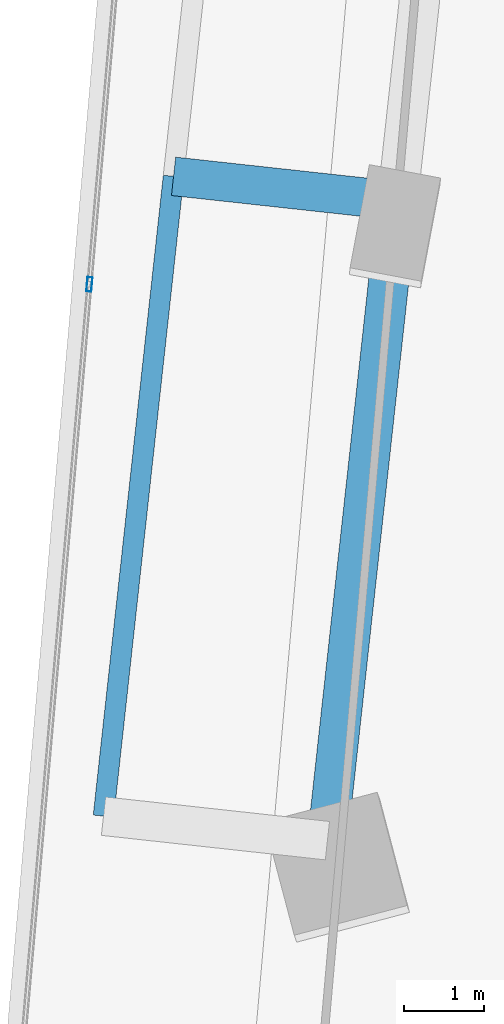
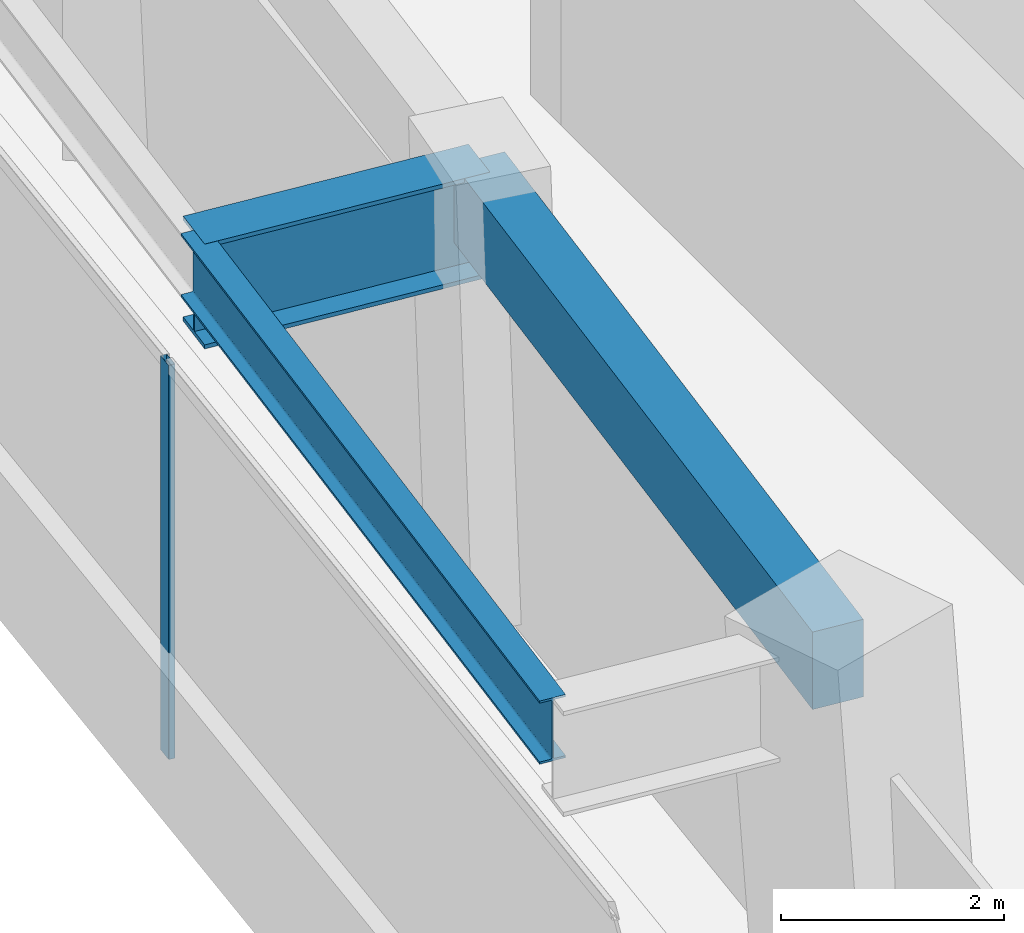
# One storey, part 6 of 24: 3 beams, 1 member, 1 element without a shape of its own.
"""IFC4 building model written with IfcOpenShell, lengths in metres."""

from ifc_helpers import new_model, si_unit, direction, frame, origin, origin_2d, place, context, subcontext, project, spatial, rectangle, hollow_rectangle, i_section, extrude, source, transform, mapped, material, material_profile, profile_set, type_object, element, aggregate, save


model = new_model("IFC4")

# Units and contexts
model_context = context("Model", 3, precision=1e-05, world=origin(), true_north=direction((0.0, 1.0)))
body_context = subcontext(model_context, "Body", "Model", "MODEL_VIEW")
ifc_project = project(units=[si_unit("LENGTHUNIT", "METRE"), si_unit("AREAUNIT", "SQUARE_METRE"), si_unit("VOLUMEUNIT", "CUBIC_METRE"), si_unit("PLANEANGLEUNIT", "RADIAN"), si_unit("MASSUNIT", "GRAM", prefix="KILO")], contexts=[model_context])

# Site, building, storey
site_placement = place(None, origin())
site = spatial("IfcSite", under=ifc_project, at=site_placement, CompositionType="ELEMENT")
building_placement = place(site_placement, origin())
building = spatial("IfcBuilding", under=site, at=building_placement, Name="Torre Montelarca", CompositionType="ELEMENT")
storey_placement = place(building_placement, frame((0.0, 0.0, 52.0)))
storey = spatial("IfcBuildingStorey", under=building, at=storey_placement, Name="L11", CompositionType="ELEMENT", Elevation=52.0)

# Beams
ifc_material_1 = material(Name="Concrete C55/67", Category="concrete")
ifc_material_profile_1 = material_profile(ifc_material_1, rectangle(XDim=0.5, YDim=0.85009765625, at=origin_2d()), Name="RCB500X850", Category="concrete")
ifc_profile_set_1 = profile_set([ifc_material_profile_1], Name="Concrete C55/67")
beam_type_1 = type_object("IfcBeamType", Name="BM-SP-RC850-EXT", PredefinedType="SPANDREL", material=ifc_profile_set_1)
shared_shape_1 = source(origin(), body_context, "Body", "SweptSolid", [
    extrude(rectangle(XDim=0.5, YDim=0.85009765625, at=origin_2d()), origin(), (0.0, 0.0, 1.0), 8.0),
])
beam_1_placement = place(storey_placement, frame((3.879150390625, 25.882080078125, 4.135009765625), z_axis=(0.108887269961, 0.994054104383, 0.0), x_axis=(-0.994054104383, 0.108887269961, 0.0)))
element("IfcBeam", 1, at=beam_1_placement, inside=storey, type_object=beam_type_1, Name="L11 Grid Girder Y 24.0-32.0 at X=4.7", PredefinedType="SPANDREL", context=body_context, shape_type="MappedRepresentation", body=[
    mapped(shared_shape_1, transform((0.0, 0.0, 0.0), scale=1.0)),
])
ifc_material_2 = material(Name="Steel ASTM A992 Grade 50", Category="steel")
ifc_material_profile_2 = material_profile(ifc_material_2, i_section(OverallWidth=0.256103515625, OverallDepth=0.693115234375, WebThickness=0.014404296875, FlangeThickness=0.023681640625, FilletRadius=0.01806640625, at=origin_2d()), Name="W690X170", Category="steel")
ifc_profile_set_2 = profile_set([ifc_material_profile_2], Name="Steel ASTM A992 Grade 50")
beam_type_2 = type_object("IfcBeamType", Name="BM-G-W690-EXT", PredefinedType="BEAM", material=ifc_profile_set_2)
shared_shape_2 = source(origin(), body_context, "Body", "SweptSolid", [
    extrude(i_section(OverallWidth=0.256103515625, OverallDepth=0.693115234375, WebThickness=0.014404296875, FlangeThickness=0.023681640625, FilletRadius=0.01806640625, at=origin_2d()), origin(), (0.0, 0.0, 1.0), 8.0),
])
beam_2_placement = place(storey_placement, frame((1.095947265625, 26.186767578125, 4.212890625), z_axis=(0.10885711391, 0.994057407171, 0.0), x_axis=(-0.994057407171, 0.10885711391, 0.0)))
element("IfcBeam", 2, at=beam_2_placement, inside=storey, type_object=beam_type_2, Name="L11 Sliding Tray Edge Girder West 24.0-32.0m (FLR)", PredefinedType="BEAM", context=body_context, shape_type="MappedRepresentation", body=[
    mapped(shared_shape_2, transform((0.0, 0.0, 0.0), scale=1.0)),
])
ifc_material_3 = material(Name="Steel ASTM A572 Grade 50", Category="steel")
ifc_material_profile_3 = material_profile(ifc_material_3, i_section(OverallWidth=0.47998046875, OverallDepth=1.14990234375, WebThickness=0.02197265625, FlangeThickness=0.044921875, at=origin_2d()), Name="PG1150X480X22X45", Category="steel")
ifc_profile_set_3 = profile_set([ifc_material_profile_3], Name="Steel ASTM A572 Grade 50")
beam_type_3 = type_object("IfcBeamType", Name="BM-CG-PG1400-EXT", PredefinedType="USERDEFINED", material=ifc_profile_set_3)
shared_shape_3 = source(origin(), body_context, "Body", "SweptSolid", [
    extrude(i_section(OverallWidth=0.47998046875, OverallDepth=1.14990234375, WebThickness=0.02197265625, FlangeThickness=0.044921875, at=origin_2d()), origin(), (0.0, 0.0, 1.0), 2.800048828125),
])
beam_3_placement = place(storey_placement, frame((4.750244140625, 33.83447265625, 3.985107421875), z_axis=(-0.9940621169, 0.108814097175, 0.0), x_axis=(-0.108814097175, -0.9940621169, 0.0)))
element("IfcBeam", 3, at=beam_3_placement, inside=storey, type_object=beam_type_3, Name="L11 Sliding Tray Cantilever Girder West Y=32.0m (FLR)", ObjectType="CANTILEVER GIRDER", PredefinedType="USERDEFINED", context=body_context, shape_type="MappedRepresentation", body=[
    mapped(shared_shape_3, transform((0.0, 0.0, 0.0), scale=1.0)),
])

# Curtain wall, member
ifc_material_4 = material(Name="Insulated low-E laminated glass", Category="glass")
curtain_wall_type = type_object("IfcCurtainWallType", Name="CW-SYS-Z1", PredefinedType="USERDEFINED", material=ifc_material_4)
curtain_wall_placement = place(storey_placement, origin())
curtain_wall = element("IfcCurtainWall", 4, at=curtain_wall_placement, inside=storey, type_object=curtain_wall_type, Name="L11 Curtain Wall Run CW-T3-L11-E10-B1", ObjectType="UNITISED GLAZING", PredefinedType="USERDEFINED")
ifc_material_5 = material(Name="Anodised aluminium AA 6063-T6", Category="aluminium")
ifc_material_profile_4 = material_profile(ifc_material_5, hollow_rectangle(XDim=0.06494140625, YDim=0.179931640625, WallThickness=0.00390625, InnerFilletRadius=0.00390625, OuterFilletRadius=0.008056640625, at=origin_2d()), Name="ALU65X180X4", Category="aluminium")
ifc_profile_set_4 = profile_set([ifc_material_profile_4], Name="Anodised aluminium AA 6063-T6")
member_type = type_object("IfcMemberType", Name="CWM-ALU180", PredefinedType="MULLION", material=ifc_profile_set_4)
shared_shape_4 = source(origin(), body_context, "Body", "SweptSolid", [
    extrude(hollow_rectangle(XDim=0.06494140625, YDim=0.179931640625, WallThickness=0.00390625, InnerFilletRadius=0.00390625, OuterFilletRadius=0.008056640625, at=origin_2d()), origin(), (0.0, 0.0, 1.0), 4.320068359375),
])
member_placement = place(storey_placement, frame((0.921142578125, 32.796630859375, 0.0), z_axis=(0.0, 0.0, 1.0), x_axis=(0.99619413316, -0.087162199711, 0.0)))
member = element("IfcMember", 5, at=member_placement, type_object=member_type, Name="CW mullion 2", PredefinedType="MULLION", context=body_context, shape_type="MappedRepresentation", body=[
    mapped(shared_shape_4, transform((0.0, 0.0, 0.0), scale=1.0)),
])
aggregate(curtain_wall, [member])

save(model, "model.ifc")
